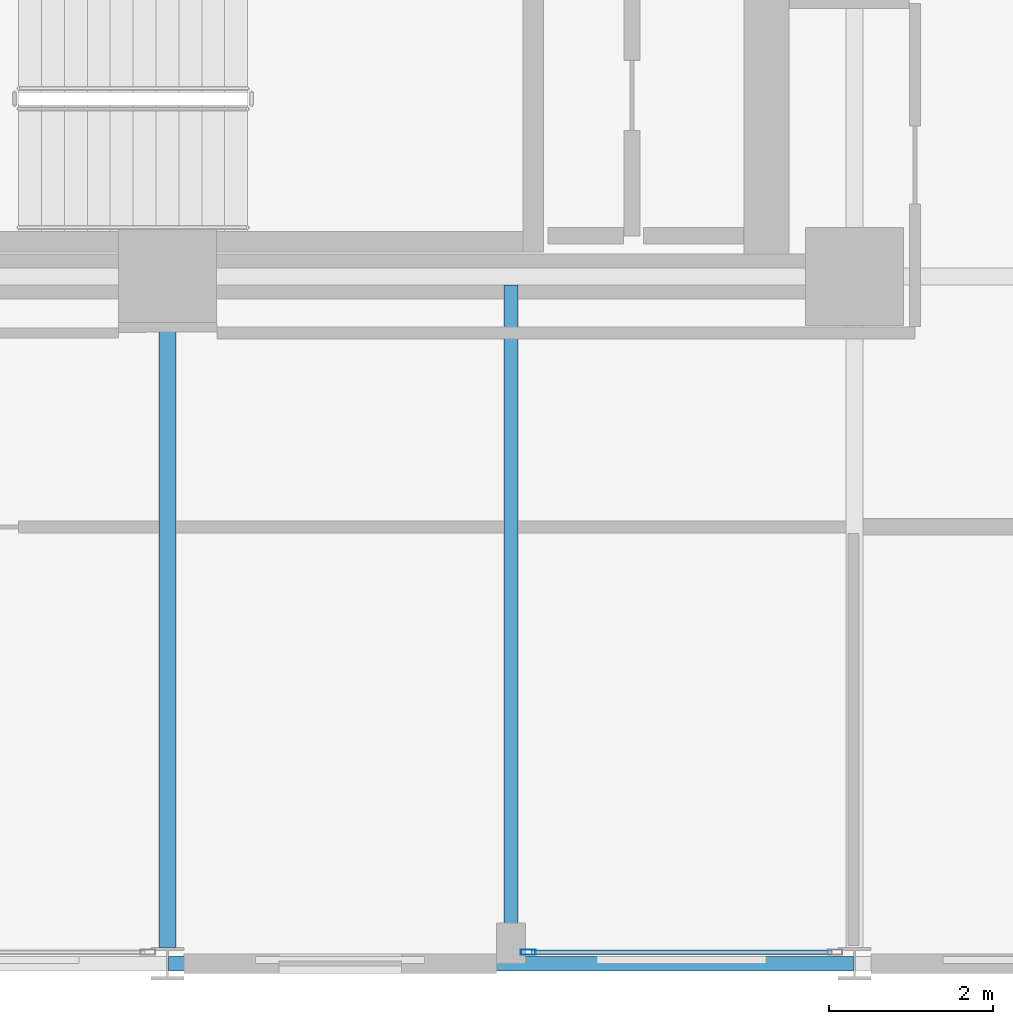
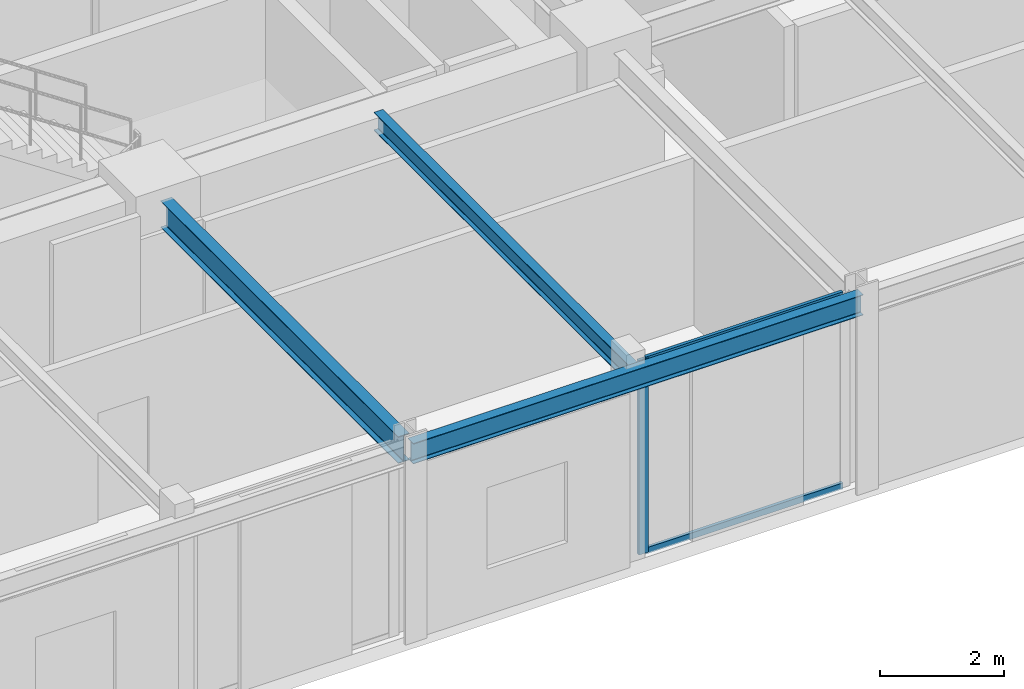
# One storey, part 9 of 38: 3 beams, 3 members, 1 element without a shape of its own.
"""IFC4 building model written with IfcOpenShell, lengths in metres."""

from ifc_helpers import new_model, si_unit, direction, frame, origin, origin_2d, place, context, subcontext, project, spatial, hollow_rectangle, i_section, extrude, material, layer, layer_set, material_profile, profile_set, type_object, element, aggregate, save


model = new_model("IFC4")

# Units and contexts
model_context = context("Model", 3, precision=1e-05, world=origin(), true_north=direction((0.0, 1.0)))
body_context = subcontext(model_context, "Body", "Model", "MODEL_VIEW")
ifc_project = project(units=[si_unit("LENGTHUNIT", "METRE"), si_unit("AREAUNIT", "SQUARE_METRE"), si_unit("VOLUMEUNIT", "CUBIC_METRE"), si_unit("PLANEANGLEUNIT", "RADIAN"), si_unit("MASSUNIT", "GRAM", prefix="KILO")], contexts=[model_context])

# Site, building, storey
site_placement = place(None, origin())
site = spatial("IfcSite", under=ifc_project, at=site_placement, CompositionType="ELEMENT")
building_placement = place(site_placement, origin())
building = spatial("IfcBuilding", under=site, at=building_placement, Name="Nerrivon Quay Data Exchange", CompositionType="ELEMENT")
storey_placement = place(building_placement, frame((0.0, 0.0, 100.800048828125)))
storey = spatial("IfcBuildingStorey", under=building, at=storey_placement, Name="L23", CompositionType="ELEMENT", Elevation=100.800048828125)

# Beams
ifc_material_1 = material(Name="Steel Grade 350", Category="steel")
ifc_material_profile_1 = material_profile(ifc_material_1, i_section(OverallWidth=0.208984375, OverallDepth=0.528076171875, WebThickness=0.009521484375, FlangeThickness=0.01318359375, FilletRadius=0.013916015625, at=origin_2d()), Name="530UB82.0")
ifc_profile_set_1 = profile_set([ifc_material_profile_1], Name="Steel Grade 350")
beam_type_1 = type_object("IfcBeamType", Name="BM-G4-530UB82", PredefinedType="BEAM", material=ifc_profile_set_1)
beam_1_placement = place(storey_placement, frame((25.199951171875, 0.199951171875, 3.56103515625), z_axis=(0.0, 1.0, 0.0), x_axis=(-1.0, 0.0, 0.0)))
element("IfcBeam", 1, at=beam_1_placement, inside=storey, type_object=beam_type_1, Name="L23 NS Girder X=25.2 (0.0..8.4)", PredefinedType="BEAM", context=body_context, shape_type="SweptSolid", body=[
    extrude(i_section(OverallWidth=0.208984375, OverallDepth=0.528076171875, WebThickness=0.009521484375, FlangeThickness=0.01318359375, FilletRadius=0.013916015625, at=origin_2d()), origin(), (0.0, 0.0, 1.0), 7.66015625),
])
ifc_material_profile_2 = material_profile(ifc_material_1, i_section(OverallWidth=0.1708984375, OverallDepth=0.35595703125, WebThickness=0.00732421875, FlangeThickness=0.011474609375, FilletRadius=0.011474609375, at=origin_2d()), Name="360UB50.7")
ifc_profile_set_2 = profile_set([ifc_material_profile_2], Name="Steel Grade 350")
beam_type_2 = type_object("IfcBeamType", Name="BM-J4-360UB51", PredefinedType="JOIST", material=ifc_profile_set_2)
beam_2_placement = place(storey_placement, frame((29.39990234375, 0.089111328125, 3.64697265625), z_axis=(0.0, 1.0, 0.0), x_axis=(-1.0, 0.0, 0.0)))
element("IfcBeam", 2, at=beam_2_placement, inside=storey, type_object=beam_type_2, Name="L23 Secondary Joist X=29.4 (0.0..8.4)", PredefinedType="JOIST", context=body_context, shape_type="SweptSolid", body=[
    extrude(i_section(OverallWidth=0.1708984375, OverallDepth=0.35595703125, WebThickness=0.00732421875, FlangeThickness=0.011474609375, FilletRadius=0.011474609375, at=origin_2d()), origin(), (0.0, 0.0, 1.0), 8.206298828125),
])
ifc_material_profile_3 = material_profile(ifc_material_1, i_section(OverallWidth=0.177978515625, OverallDepth=0.403076171875, WebThickness=0.007568359375, FlangeThickness=0.010986328125, FilletRadius=0.011474609375, at=origin_2d()), Name="410UB53.7")
ifc_profile_set_3 = profile_set([ifc_material_profile_3], Name="Steel Grade 350")
beam_type_3 = type_object("IfcBeamType", Name="BM-SP2-410UB54", PredefinedType="SPANDREL", material=ifc_profile_set_3)
beam_3_placement = place(storey_placement, frame((25.21240234375, 0.0, 3.62353515625), z_axis=(1.0, 0.0, 0.0), x_axis=(0.0, 1.0, 0.0)))
element("IfcBeam", 3, at=beam_3_placement, inside=storey, type_object=beam_type_3, Name="L23 EW Girder Y=0.0 (25.2..33.6)", PredefinedType="SPANDREL", context=body_context, shape_type="SweptSolid", body=[
    extrude(i_section(OverallWidth=0.177978515625, OverallDepth=0.403076171875, WebThickness=0.007568359375, FlangeThickness=0.010986328125, FilletRadius=0.011474609375, at=origin_2d()), origin(), (0.0, 0.0, 1.0), 8.375),
])

# Curtain wall, members
ifc_material_2 = material(Name="Anodised aluminium 6063-T6", Category="aluminium")
ifc_layer = layer(ifc_material_2, 0.2099609375)
ifc_layer_set = layer_set([ifc_layer], Name="Anodised aluminium 6063-T6")
curtain_wall_type = type_object("IfcCurtainWallType", Name="CW-SYS-02", PredefinedType="NOTDEFINED", material=ifc_layer_set)
curtain_wall_placement = place(storey_placement, origin())
curtain_wall = element("IfcCurtainWall", 4, at=curtain_wall_placement, inside=storey, type_object=curtain_wall_type, Name="L23 Unitised Curtain Wall 8", PredefinedType="NOTDEFINED")
ifc_material_profile_4 = material_profile(ifc_material_2, hollow_rectangle(XDim=0.06494140625, YDim=0.179931640625, WallThickness=0.00341796875, at=origin_2d()), Name="ALU-MULL-180x65")
ifc_profile_set_4 = profile_set([ifc_material_profile_4], Name="Anodised aluminium 6063-T6")
member_type_1 = type_object("IfcMemberType", Name="CWM-180x65", PredefinedType="MULLION", material=ifc_profile_set_4)
member_1_placement = place(storey_placement, frame((29.612548828125, 0.139892578125, 0.0), z_axis=(0.0, 0.0, 1.0), x_axis=(0.0, -1.0, 0.0)))
member_1 = element("IfcMember", 5, at=member_1_placement, type_object=member_type_1, Name="CW02 mullion 2", PredefinedType="MULLION", context=body_context, shape_type="SweptSolid", body=[
    extrude(hollow_rectangle(XDim=0.06494140625, YDim=0.179931640625, WallThickness=0.00341796875, at=origin_2d()), origin(), (0.0, 0.0, 1.0), 3.824951171875),
])
ifc_material_profile_5 = material_profile(ifc_material_2, hollow_rectangle(XDim=0.06005859375, YDim=0.1201171875, WallThickness=0.003173828125, at=origin_2d()), Name="ALU-TRAN-120x60")
ifc_profile_set_5 = profile_set([ifc_material_profile_5], Name="Anodised aluminium 6063-T6")
member_type_2 = type_object("IfcMemberType", Name="CWT-120x60", PredefinedType="USERDEFINED", material=ifc_profile_set_5)
member_2_placement = place(storey_placement, frame((33.324951171875, 0.139892578125, 0.032470703125), z_axis=(-1.0, 0.0, 0.0), x_axis=(0.0, -1.0, 0.0)))
member_2 = element("IfcMember", 6, at=member_2_placement, type_object=member_type_2, Name="CW02 transom 1.1", ObjectType="TRANSOM", PredefinedType="USERDEFINED", context=body_context, shape_type="SweptSolid", body=[
    extrude(hollow_rectangle(XDim=0.06005859375, YDim=0.1201171875, WallThickness=0.003173828125, at=origin_2d()), origin(), (0.0, 0.0, 1.0), 3.675048828125),
])
member_3_placement = place(storey_placement, frame((33.324951171875, 0.139892578125, 3.79248046875), z_axis=(-1.0, 0.0, 0.0), x_axis=(0.0, -1.0, 0.0)))
member_3 = element("IfcMember", 7, at=member_3_placement, type_object=member_type_2, Name="CW02 transom 1.2", ObjectType="TRANSOM", PredefinedType="USERDEFINED", context=body_context, shape_type="SweptSolid", body=[
    extrude(hollow_rectangle(XDim=0.06005859375, YDim=0.1201171875, WallThickness=0.003173828125, at=origin_2d()), origin(), (0.0, 0.0, 1.0), 3.675048828125),
])
aggregate(curtain_wall, [member_1, member_2, member_3])

save(model, "model.ifc")
